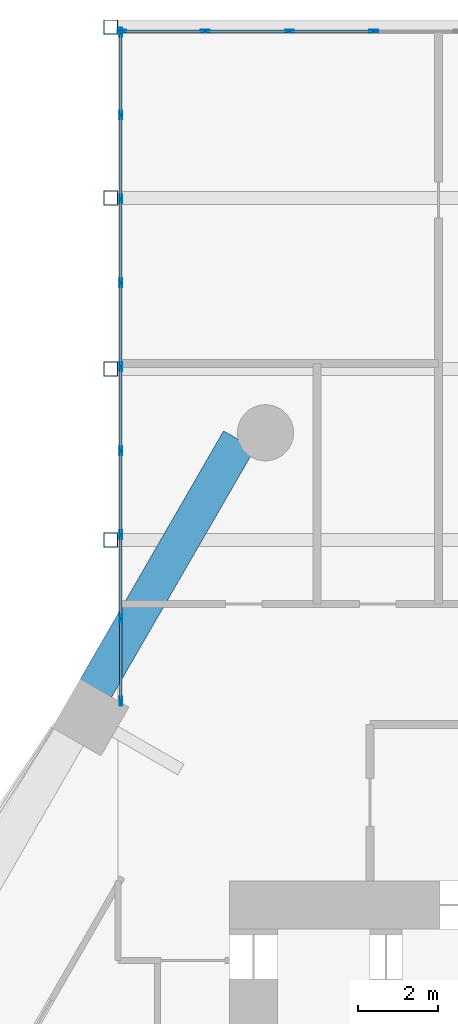
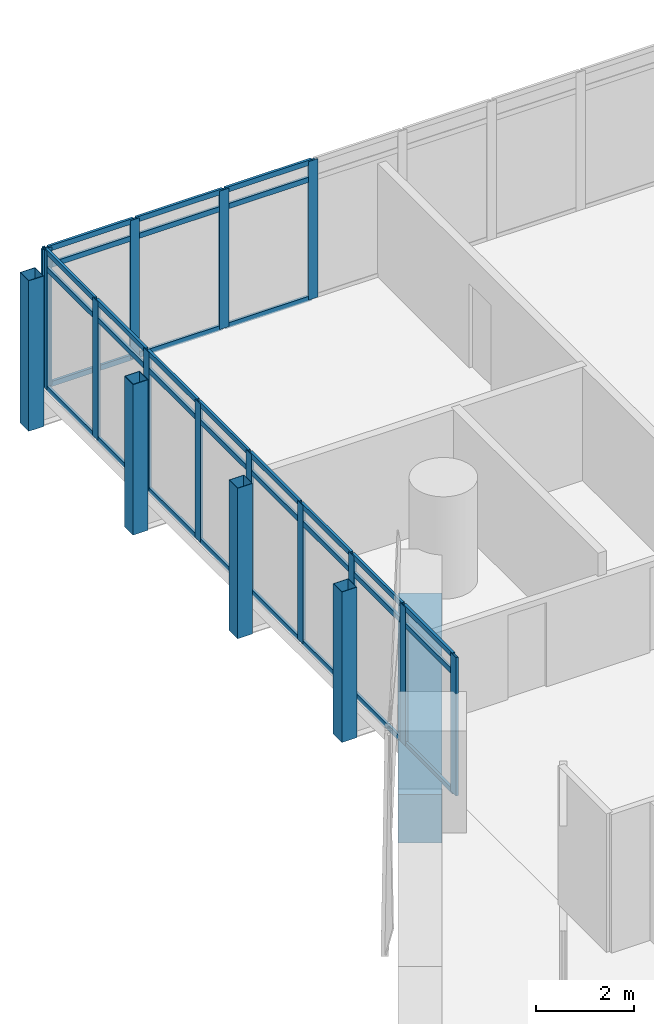
# One storey, part 14 of 35: 50 members, 1 beam, 2 elements without a shape of their own.
"""IFC4 building model written with IfcOpenShell, lengths in metres."""

from ifc_helpers import new_model, si_unit, direction, frame, origin, origin_2d, place, context, subcontext, project, spatial, rectangle, hollow_rectangle, extrude, material, material_profile, profile_set, type_object, element, aggregate, save


model = new_model("IFC4")

# Units and contexts
model_context = context("Model", 3, precision=1e-05, world=origin(), true_north=direction((0.0, 1.0)))
body_context = subcontext(model_context, "Body", "Model", "MODEL_VIEW")
ifc_project = project(units=[si_unit("LENGTHUNIT", "METRE"), si_unit("AREAUNIT", "SQUARE_METRE"), si_unit("VOLUMEUNIT", "CUBIC_METRE"), si_unit("PLANEANGLEUNIT", "RADIAN"), si_unit("MASSUNIT", "GRAM", prefix="KILO")], contexts=[model_context])

# Site, building, storey
site_placement = place(None, origin())
site = spatial("IfcSite", under=ifc_project, at=site_placement, CompositionType="ELEMENT")
building_placement = place(site_placement, origin())
building = spatial("IfcBuilding", under=site, at=building_placement, Name="Ostrander Bayou Hotel Tower", CompositionType="ELEMENT")
storey_placement = place(building_placement, frame((0.0, 0.0, 69.25)))
storey = spatial("IfcBuildingStorey", under=building, at=storey_placement, Name="L17", CompositionType="ELEMENT", Elevation=69.25)

# Curtain wall, members
ifc_material_1 = material(Name="Aluminium and clear glass", Category="aluminium")
curtain_wall_type = type_object("IfcCurtainWallType", Name="CW-BAR glazed wall", PredefinedType="NOTDEFINED", material=ifc_material_1)
curtain_wall_1_placement = place(storey_placement, origin())
curtain_wall_1 = element("IfcCurtainWall", 1, at=curtain_wall_1_placement, inside=storey, type_object=curtain_wall_type, Name="CW-BAR L17:SB1N:E", PredefinedType="NOTDEFINED")
ifc_material_2 = material(Name="Aluminium", Category="aluminium")
ifc_material_profile_1 = material_profile(ifc_material_2, hollow_rectangle(XDim=0.06005859375, YDim=0.219970703125, WallThickness=0.00390625, at=origin_2d()))
ifc_profile_set_1 = profile_set([ifc_material_profile_1], Name="Aluminium")
member_type_1 = type_object("IfcMemberType", Name="CW-BR mullion 60 x 220 mm", PredefinedType="MULLION", material=ifc_profile_set_1)
member_1_placement = place(storey_placement, frame((-14.712158203125, 14.1767578125, 0.0), z_axis=(0.0, 0.0, 1.0), x_axis=(-1.0, 0.0, 0.0)))
member_1 = element("IfcMember", 2, at=member_1_placement, type_object=member_type_1, Name="CW-BAR mullion 1", PredefinedType="MULLION", context=body_context, shape_type="SweptSolid", body=[
    extrude(hollow_rectangle(XDim=0.06005859375, YDim=0.219970703125, WallThickness=0.00390625, at=origin_2d()), origin(), (0.0, 0.0, 1.0), 3.449951171875),
])
member_2_placement = place(storey_placement, frame((-14.712158203125, 16.2392578125, 0.0), z_axis=(0.0, 0.0, 1.0), x_axis=(-1.0, 0.0, 0.0)))
member_2 = element("IfcMember", 3, at=member_2_placement, type_object=member_type_1, Name="CW-BAR mullion 2", PredefinedType="MULLION", context=body_context, shape_type="SweptSolid", body=[
    extrude(hollow_rectangle(XDim=0.06005859375, YDim=0.219970703125, WallThickness=0.00390625, at=origin_2d()), origin(), (0.0, 0.0, 1.0), 3.449951171875),
])
member_3_placement = place(storey_placement, frame((-14.712158203125, 18.33154296875, 0.0), z_axis=(0.0, 0.0, 1.0), x_axis=(-1.0, 0.0, 0.0)))
member_3 = element("IfcMember", 4, at=member_3_placement, type_object=member_type_1, Name="CW-BAR mullion 3", PredefinedType="MULLION", context=body_context, shape_type="SweptSolid", body=[
    extrude(hollow_rectangle(XDim=0.06005859375, YDim=0.219970703125, WallThickness=0.00390625, at=origin_2d()), origin(), (0.0, 0.0, 1.0), 3.449951171875),
])
member_4_placement = place(storey_placement, frame((-14.712158203125, 20.424072265625, 0.0), z_axis=(0.0, 0.0, 1.0), x_axis=(-1.0, 0.0, 0.0)))
member_4 = element("IfcMember", 5, at=member_4_placement, type_object=member_type_1, Name="CW-BAR mullion 4", PredefinedType="MULLION", context=body_context, shape_type="SweptSolid", body=[
    extrude(hollow_rectangle(XDim=0.06005859375, YDim=0.219970703125, WallThickness=0.00390625, at=origin_2d()), origin(), (0.0, 0.0, 1.0), 3.449951171875),
])
member_5_placement = place(storey_placement, frame((-14.712158203125, 22.5166015625, 0.0), z_axis=(0.0, 0.0, 1.0), x_axis=(-1.0, 0.0, 0.0)))
member_5 = element("IfcMember", 6, at=member_5_placement, type_object=member_type_1, Name="CW-BAR mullion 5", PredefinedType="MULLION", context=body_context, shape_type="SweptSolid", body=[
    extrude(hollow_rectangle(XDim=0.06005859375, YDim=0.219970703125, WallThickness=0.00390625, at=origin_2d()), origin(), (0.0, 0.0, 1.0), 3.449951171875),
])
member_6_placement = place(storey_placement, frame((-14.712158203125, 24.60888671875, 0.0), z_axis=(0.0, 0.0, 1.0), x_axis=(-1.0, 0.0, 0.0)))
member_6 = element("IfcMember", 7, at=member_6_placement, type_object=member_type_1, Name="CW-BAR mullion 6", PredefinedType="MULLION", context=body_context, shape_type="SweptSolid", body=[
    extrude(hollow_rectangle(XDim=0.06005859375, YDim=0.219970703125, WallThickness=0.00390625, at=origin_2d()), origin(), (0.0, 0.0, 1.0), 3.449951171875),
])
member_7_placement = place(storey_placement, frame((-14.712158203125, 26.701416015625, 0.0), z_axis=(0.0, 0.0, 1.0), x_axis=(-1.0, 0.0, 0.0)))
member_7 = element("IfcMember", 8, at=member_7_placement, type_object=member_type_1, Name="CW-BAR mullion 7", PredefinedType="MULLION", context=body_context, shape_type="SweptSolid", body=[
    extrude(hollow_rectangle(XDim=0.06005859375, YDim=0.219970703125, WallThickness=0.00390625, at=origin_2d()), origin(), (0.0, 0.0, 1.0), 3.449951171875),
])
member_8_placement = place(storey_placement, frame((-14.712158203125, 28.793701171875, 0.0), z_axis=(0.0, 0.0, 1.0), x_axis=(-1.0, 0.0, 0.0)))
member_8 = element("IfcMember", 9, at=member_8_placement, type_object=member_type_1, Name="CW-BAR mullion 8", PredefinedType="MULLION", context=body_context, shape_type="SweptSolid", body=[
    extrude(hollow_rectangle(XDim=0.06005859375, YDim=0.219970703125, WallThickness=0.00390625, at=origin_2d()), origin(), (0.0, 0.0, 1.0), 3.449951171875),
])
member_9_placement = place(storey_placement, frame((-14.712158203125, 30.856201171875, 0.0), z_axis=(0.0, 0.0, 1.0), x_axis=(-1.0, 0.0, 0.0)))
member_9 = element("IfcMember", 10, at=member_9_placement, type_object=member_type_1, Name="CW-BAR mullion 9", PredefinedType="MULLION", context=body_context, shape_type="SweptSolid", body=[
    extrude(hollow_rectangle(XDim=0.06005859375, YDim=0.219970703125, WallThickness=0.00390625, at=origin_2d()), origin(), (0.0, 0.0, 1.0), 3.449951171875),
])

curtain_wall_2_placement = place(storey_placement, origin())
curtain_wall_2 = element("IfcCurtainWall", 11, at=curtain_wall_2_placement, inside=storey, type_object=curtain_wall_type, Name="CW-BAR L17:SB1N:T", PredefinedType="NOTDEFINED")
member_10_placement = place(storey_placement, frame((-14.68212890625, 30.88623046875, 0.0), z_axis=(0.0, 0.0, 1.0), x_axis=(0.0, 1.0, 0.0)))
member_10 = element("IfcMember", 12, at=member_10_placement, type_object=member_type_1, Name="CW-BAR mullion 1", PredefinedType="MULLION", context=body_context, shape_type="SweptSolid", body=[
    extrude(hollow_rectangle(XDim=0.06005859375, YDim=0.219970703125, WallThickness=0.00390625, at=origin_2d()), origin(), (0.0, 0.0, 1.0), 3.449951171875),
])
member_11_placement = place(storey_placement, frame((-12.6103515625, 30.88623046875, 0.0), z_axis=(0.0, 0.0, 1.0), x_axis=(0.0, 1.0, 0.0)))
member_11 = element("IfcMember", 13, at=member_11_placement, type_object=member_type_1, Name="CW-BAR mullion 2", PredefinedType="MULLION", context=body_context, shape_type="SweptSolid", body=[
    extrude(hollow_rectangle(XDim=0.06005859375, YDim=0.219970703125, WallThickness=0.00390625, at=origin_2d()), origin(), (0.0, 0.0, 1.0), 3.449951171875),
])
member_12_placement = place(storey_placement, frame((-10.5087890625, 30.88623046875, 0.0), z_axis=(0.0, 0.0, 1.0), x_axis=(0.0, 1.0, 0.0)))
member_12 = element("IfcMember", 14, at=member_12_placement, type_object=member_type_1, Name="CW-BAR mullion 3", PredefinedType="MULLION", context=body_context, shape_type="SweptSolid", body=[
    extrude(hollow_rectangle(XDim=0.06005859375, YDim=0.219970703125, WallThickness=0.00390625, at=origin_2d()), origin(), (0.0, 0.0, 1.0), 3.449951171875),
])
member_13_placement = place(storey_placement, frame((-8.406982421875, 30.88623046875, 0.0), z_axis=(0.0, 0.0, 1.0), x_axis=(0.0, 1.0, 0.0)))
member_13 = element("IfcMember", 15, at=member_13_placement, type_object=member_type_1, Name="CW-BAR mullion 4", PredefinedType="MULLION", context=body_context, shape_type="SweptSolid", body=[
    extrude(hollow_rectangle(XDim=0.06005859375, YDim=0.219970703125, WallThickness=0.00390625, at=origin_2d()), origin(), (0.0, 0.0, 1.0), 3.449951171875),
])

# Member
ifc_material_3 = material(Name="Aluminium", Category="aluminium")
ifc_material_profile_2 = material_profile(ifc_material_3, hollow_rectangle(XDim=0.06005859375, YDim=0.1298828125, WallThickness=0.00390625, at=origin_2d()))
ifc_profile_set_2 = profile_set([ifc_material_profile_2], Name="Aluminium")
member_type_2 = type_object("IfcMemberType", Name="CW-BR transom 60 x 130 mm", PredefinedType="USERDEFINED", material=ifc_profile_set_2)
member_14_placement = place(storey_placement, frame((-14.712158203125, 14.206787109375, 0.030029296875), z_axis=(0.0, 1.0, 0.0), x_axis=(-1.0, 0.0, 0.0)))
member_14 = element("IfcMember", 16, at=member_14_placement, type_object=member_type_2, Name="CW-BAR transom 1.1", ObjectType="TRANSOM", PredefinedType="USERDEFINED", context=body_context, shape_type="SweptSolid", body=[
    extrude(hollow_rectangle(XDim=0.06005859375, YDim=0.1298828125, WallThickness=0.00390625, at=origin_2d()), origin(), (0.0, 0.0, 1.0), 2.00244140625),
])

member_15_placement = place(storey_placement, frame((-14.712158203125, 14.206787109375, 3.0), z_axis=(0.0, 1.0, 0.0), x_axis=(-1.0, 0.0, 0.0)))
member_15 = element("IfcMember", 17, at=member_15_placement, type_object=member_type_2, Name="CW-BAR transom 1.2", ObjectType="TRANSOM", PredefinedType="USERDEFINED", context=body_context, shape_type="SweptSolid", body=[
    extrude(hollow_rectangle(XDim=0.06005859375, YDim=0.1298828125, WallThickness=0.00390625, at=origin_2d()), origin(), (0.0, 0.0, 1.0), 2.00244140625),
])

member_16_placement = place(storey_placement, frame((-14.712158203125, 14.206787109375, 3.419921875), z_axis=(0.0, 1.0, 0.0), x_axis=(-1.0, 0.0, 0.0)))
member_16 = element("IfcMember", 18, at=member_16_placement, type_object=member_type_2, Name="CW-BAR transom 1.3", ObjectType="TRANSOM", PredefinedType="USERDEFINED", context=body_context, shape_type="SweptSolid", body=[
    extrude(hollow_rectangle(XDim=0.06005859375, YDim=0.1298828125, WallThickness=0.00390625, at=origin_2d()), origin(), (0.0, 0.0, 1.0), 2.00244140625),
])

member_17_placement = place(storey_placement, frame((-14.712158203125, 16.269287109375, 0.030029296875), z_axis=(0.0, 1.0, 0.0), x_axis=(-1.0, 0.0, 0.0)))
member_17 = element("IfcMember", 19, at=member_17_placement, type_object=member_type_2, Name="CW-BAR transom 2.1", ObjectType="TRANSOM", PredefinedType="USERDEFINED", context=body_context, shape_type="SweptSolid", body=[
    extrude(hollow_rectangle(XDim=0.06005859375, YDim=0.1298828125, WallThickness=0.00390625, at=origin_2d()), origin(), (0.0, 0.0, 1.0), 2.032470703125),
])

member_18_placement = place(storey_placement, frame((-14.712158203125, 16.269287109375, 3.0), z_axis=(0.0, 1.0, 0.0), x_axis=(-1.0, 0.0, 0.0)))
member_18 = element("IfcMember", 20, at=member_18_placement, type_object=member_type_2, Name="CW-BAR transom 2.2", ObjectType="TRANSOM", PredefinedType="USERDEFINED", context=body_context, shape_type="SweptSolid", body=[
    extrude(hollow_rectangle(XDim=0.06005859375, YDim=0.1298828125, WallThickness=0.00390625, at=origin_2d()), origin(), (0.0, 0.0, 1.0), 2.032470703125),
])

member_19_placement = place(storey_placement, frame((-14.712158203125, 16.269287109375, 3.419921875), z_axis=(0.0, 1.0, 0.0), x_axis=(-1.0, 0.0, 0.0)))
member_19 = element("IfcMember", 21, at=member_19_placement, type_object=member_type_2, Name="CW-BAR transom 2.3", ObjectType="TRANSOM", PredefinedType="USERDEFINED", context=body_context, shape_type="SweptSolid", body=[
    extrude(hollow_rectangle(XDim=0.06005859375, YDim=0.1298828125, WallThickness=0.00390625, at=origin_2d()), origin(), (0.0, 0.0, 1.0), 2.032470703125),
])

member_20_placement = place(storey_placement, frame((-14.712158203125, 18.361572265625, 0.030029296875), z_axis=(0.0, 1.0, 0.0), x_axis=(-1.0, 0.0, 0.0)))
member_20 = element("IfcMember", 22, at=member_20_placement, type_object=member_type_2, Name="CW-BAR transom 3.1", ObjectType="TRANSOM", PredefinedType="USERDEFINED", context=body_context, shape_type="SweptSolid", body=[
    extrude(hollow_rectangle(XDim=0.06005859375, YDim=0.1298828125, WallThickness=0.00390625, at=origin_2d()), origin(), (0.0, 0.0, 1.0), 2.032470703125),
])

member_21_placement = place(storey_placement, frame((-14.712158203125, 18.361572265625, 3.0), z_axis=(0.0, 1.0, 0.0), x_axis=(-1.0, 0.0, 0.0)))
member_21 = element("IfcMember", 23, at=member_21_placement, type_object=member_type_2, Name="CW-BAR transom 3.2", ObjectType="TRANSOM", PredefinedType="USERDEFINED", context=body_context, shape_type="SweptSolid", body=[
    extrude(hollow_rectangle(XDim=0.06005859375, YDim=0.1298828125, WallThickness=0.00390625, at=origin_2d()), origin(), (0.0, 0.0, 1.0), 2.032470703125),
])

member_22_placement = place(storey_placement, frame((-14.712158203125, 18.361572265625, 3.419921875), z_axis=(0.0, 1.0, 0.0), x_axis=(-1.0, 0.0, 0.0)))
member_22 = element("IfcMember", 24, at=member_22_placement, type_object=member_type_2, Name="CW-BAR transom 3.3", ObjectType="TRANSOM", PredefinedType="USERDEFINED", context=body_context, shape_type="SweptSolid", body=[
    extrude(hollow_rectangle(XDim=0.06005859375, YDim=0.1298828125, WallThickness=0.00390625, at=origin_2d()), origin(), (0.0, 0.0, 1.0), 2.032470703125),
])

member_23_placement = place(storey_placement, frame((-14.712158203125, 20.4541015625, 0.030029296875), z_axis=(0.0, 1.0, 0.0), x_axis=(-1.0, 0.0, 0.0)))
member_23 = element("IfcMember", 25, at=member_23_placement, type_object=member_type_2, Name="CW-BAR transom 4.1", ObjectType="TRANSOM", PredefinedType="USERDEFINED", context=body_context, shape_type="SweptSolid", body=[
    extrude(hollow_rectangle(XDim=0.06005859375, YDim=0.1298828125, WallThickness=0.00390625, at=origin_2d()), origin(), (0.0, 0.0, 1.0), 2.032470703125),
])

member_24_placement = place(storey_placement, frame((-14.712158203125, 20.4541015625, 3.0), z_axis=(0.0, 1.0, 0.0), x_axis=(-1.0, 0.0, 0.0)))
member_24 = element("IfcMember", 26, at=member_24_placement, type_object=member_type_2, Name="CW-BAR transom 4.2", ObjectType="TRANSOM", PredefinedType="USERDEFINED", context=body_context, shape_type="SweptSolid", body=[
    extrude(hollow_rectangle(XDim=0.06005859375, YDim=0.1298828125, WallThickness=0.00390625, at=origin_2d()), origin(), (0.0, 0.0, 1.0), 2.032470703125),
])

member_25_placement = place(storey_placement, frame((-14.712158203125, 20.4541015625, 3.419921875), z_axis=(0.0, 1.0, 0.0), x_axis=(-1.0, 0.0, 0.0)))
member_25 = element("IfcMember", 27, at=member_25_placement, type_object=member_type_2, Name="CW-BAR transom 4.3", ObjectType="TRANSOM", PredefinedType="USERDEFINED", context=body_context, shape_type="SweptSolid", body=[
    extrude(hollow_rectangle(XDim=0.06005859375, YDim=0.1298828125, WallThickness=0.00390625, at=origin_2d()), origin(), (0.0, 0.0, 1.0), 2.032470703125),
])

member_26_placement = place(storey_placement, frame((-14.712158203125, 22.54638671875, 0.030029296875), z_axis=(0.0, 1.0, 0.0), x_axis=(-1.0, 0.0, 0.0)))
member_26 = element("IfcMember", 28, at=member_26_placement, type_object=member_type_2, Name="CW-BAR transom 5.1", ObjectType="TRANSOM", PredefinedType="USERDEFINED", context=body_context, shape_type="SweptSolid", body=[
    extrude(hollow_rectangle(XDim=0.06005859375, YDim=0.1298828125, WallThickness=0.00390625, at=origin_2d()), origin(), (0.0, 0.0, 1.0), 2.032470703125),
])

member_27_placement = place(storey_placement, frame((-14.712158203125, 22.54638671875, 3.0), z_axis=(0.0, 1.0, 0.0), x_axis=(-1.0, 0.0, 0.0)))
member_27 = element("IfcMember", 29, at=member_27_placement, type_object=member_type_2, Name="CW-BAR transom 5.2", ObjectType="TRANSOM", PredefinedType="USERDEFINED", context=body_context, shape_type="SweptSolid", body=[
    extrude(hollow_rectangle(XDim=0.06005859375, YDim=0.1298828125, WallThickness=0.00390625, at=origin_2d()), origin(), (0.0, 0.0, 1.0), 2.032470703125),
])

member_28_placement = place(storey_placement, frame((-14.712158203125, 22.54638671875, 3.419921875), z_axis=(0.0, 1.0, 0.0), x_axis=(-1.0, 0.0, 0.0)))
member_28 = element("IfcMember", 30, at=member_28_placement, type_object=member_type_2, Name="CW-BAR transom 5.3", ObjectType="TRANSOM", PredefinedType="USERDEFINED", context=body_context, shape_type="SweptSolid", body=[
    extrude(hollow_rectangle(XDim=0.06005859375, YDim=0.1298828125, WallThickness=0.00390625, at=origin_2d()), origin(), (0.0, 0.0, 1.0), 2.032470703125),
])

member_29_placement = place(storey_placement, frame((-14.712158203125, 24.638916015625, 0.030029296875), z_axis=(0.0, 1.0, 0.0), x_axis=(-1.0, 0.0, 0.0)))
member_29 = element("IfcMember", 31, at=member_29_placement, type_object=member_type_2, Name="CW-BAR transom 6.1", ObjectType="TRANSOM", PredefinedType="USERDEFINED", context=body_context, shape_type="SweptSolid", body=[
    extrude(hollow_rectangle(XDim=0.06005859375, YDim=0.1298828125, WallThickness=0.00390625, at=origin_2d()), origin(), (0.0, 0.0, 1.0), 2.032470703125),
])

member_30_placement = place(storey_placement, frame((-14.712158203125, 24.638916015625, 3.0), z_axis=(0.0, 1.0, 0.0), x_axis=(-1.0, 0.0, 0.0)))
member_30 = element("IfcMember", 32, at=member_30_placement, type_object=member_type_2, Name="CW-BAR transom 6.2", ObjectType="TRANSOM", PredefinedType="USERDEFINED", context=body_context, shape_type="SweptSolid", body=[
    extrude(hollow_rectangle(XDim=0.06005859375, YDim=0.1298828125, WallThickness=0.00390625, at=origin_2d()), origin(), (0.0, 0.0, 1.0), 2.032470703125),
])

member_31_placement = place(storey_placement, frame((-14.712158203125, 24.638916015625, 3.419921875), z_axis=(0.0, 1.0, 0.0), x_axis=(-1.0, 0.0, 0.0)))
member_31 = element("IfcMember", 33, at=member_31_placement, type_object=member_type_2, Name="CW-BAR transom 6.3", ObjectType="TRANSOM", PredefinedType="USERDEFINED", context=body_context, shape_type="SweptSolid", body=[
    extrude(hollow_rectangle(XDim=0.06005859375, YDim=0.1298828125, WallThickness=0.00390625, at=origin_2d()), origin(), (0.0, 0.0, 1.0), 2.032470703125),
])

member_32_placement = place(storey_placement, frame((-14.712158203125, 26.7314453125, 0.030029296875), z_axis=(0.0, 1.0, 0.0), x_axis=(-1.0, 0.0, 0.0)))
member_32 = element("IfcMember", 34, at=member_32_placement, type_object=member_type_2, Name="CW-BAR transom 7.1", ObjectType="TRANSOM", PredefinedType="USERDEFINED", context=body_context, shape_type="SweptSolid", body=[
    extrude(hollow_rectangle(XDim=0.06005859375, YDim=0.1298828125, WallThickness=0.00390625, at=origin_2d()), origin(), (0.0, 0.0, 1.0), 2.0322265625),
])

member_33_placement = place(storey_placement, frame((-14.712158203125, 26.7314453125, 3.0), z_axis=(0.0, 1.0, 0.0), x_axis=(-1.0, 0.0, 0.0)))
member_33 = element("IfcMember", 35, at=member_33_placement, type_object=member_type_2, Name="CW-BAR transom 7.2", ObjectType="TRANSOM", PredefinedType="USERDEFINED", context=body_context, shape_type="SweptSolid", body=[
    extrude(hollow_rectangle(XDim=0.06005859375, YDim=0.1298828125, WallThickness=0.00390625, at=origin_2d()), origin(), (0.0, 0.0, 1.0), 2.0322265625),
])

member_34_placement = place(storey_placement, frame((-14.712158203125, 26.7314453125, 3.419921875), z_axis=(0.0, 1.0, 0.0), x_axis=(-1.0, 0.0, 0.0)))
member_34 = element("IfcMember", 36, at=member_34_placement, type_object=member_type_2, Name="CW-BAR transom 7.3", ObjectType="TRANSOM", PredefinedType="USERDEFINED", context=body_context, shape_type="SweptSolid", body=[
    extrude(hollow_rectangle(XDim=0.06005859375, YDim=0.1298828125, WallThickness=0.00390625, at=origin_2d()), origin(), (0.0, 0.0, 1.0), 2.0322265625),
])

member_35_placement = place(storey_placement, frame((-14.712158203125, 28.82373046875, 0.030029296875), z_axis=(0.0, 1.0, 0.0), x_axis=(-1.0, 0.0, 0.0)))
member_35 = element("IfcMember", 37, at=member_35_placement, type_object=member_type_2, Name="CW-BAR transom 8.1", ObjectType="TRANSOM", PredefinedType="USERDEFINED", context=body_context, shape_type="SweptSolid", body=[
    extrude(hollow_rectangle(XDim=0.06005859375, YDim=0.1298828125, WallThickness=0.00390625, at=origin_2d()), origin(), (0.0, 0.0, 1.0), 2.00244140625),
])

member_36_placement = place(storey_placement, frame((-14.712158203125, 28.82373046875, 3.0), z_axis=(0.0, 1.0, 0.0), x_axis=(-1.0, 0.0, 0.0)))
member_36 = element("IfcMember", 38, at=member_36_placement, type_object=member_type_2, Name="CW-BAR transom 8.2", ObjectType="TRANSOM", PredefinedType="USERDEFINED", context=body_context, shape_type="SweptSolid", body=[
    extrude(hollow_rectangle(XDim=0.06005859375, YDim=0.1298828125, WallThickness=0.00390625, at=origin_2d()), origin(), (0.0, 0.0, 1.0), 2.00244140625),
])

member_37_placement = place(storey_placement, frame((-14.712158203125, 28.82373046875, 3.419921875), z_axis=(0.0, 1.0, 0.0), x_axis=(-1.0, 0.0, 0.0)))
member_37 = element("IfcMember", 39, at=member_37_placement, type_object=member_type_2, Name="CW-BAR transom 8.3", ObjectType="TRANSOM", PredefinedType="USERDEFINED", context=body_context, shape_type="SweptSolid", body=[
    extrude(hollow_rectangle(XDim=0.06005859375, YDim=0.1298828125, WallThickness=0.00390625, at=origin_2d()), origin(), (0.0, 0.0, 1.0), 2.00244140625),
])

aggregate(curtain_wall_1, [member_1, member_2, member_3, member_4, member_5, member_6, member_7, member_8, member_9, member_14, member_15, member_16, member_17, member_18, member_19, member_20, member_21, member_22, member_23, member_24, member_25, member_26, member_27, member_28, member_29, member_30, member_31, member_32, member_33, member_34, member_35, member_36, member_37])

member_38_placement = place(storey_placement, frame((-14.652099609375, 30.88623046875, 0.030029296875), z_axis=(1.0, 0.0, 0.0), x_axis=(0.0, 1.0, 0.0)))
member_38 = element("IfcMember", 40, at=member_38_placement, type_object=member_type_2, Name="CW-BAR transom 1.1", ObjectType="TRANSOM", PredefinedType="USERDEFINED", context=body_context, shape_type="SweptSolid", body=[
    extrude(hollow_rectangle(XDim=0.06005859375, YDim=0.1298828125, WallThickness=0.00390625, at=origin_2d()), origin(), (0.0, 0.0, 1.0), 2.01171875),
])

member_39_placement = place(storey_placement, frame((-14.652099609375, 30.88623046875, 3.0), z_axis=(1.0, 0.0, 0.0), x_axis=(0.0, 1.0, 0.0)))
member_39 = element("IfcMember", 41, at=member_39_placement, type_object=member_type_2, Name="CW-BAR transom 1.2", ObjectType="TRANSOM", PredefinedType="USERDEFINED", context=body_context, shape_type="SweptSolid", body=[
    extrude(hollow_rectangle(XDim=0.06005859375, YDim=0.1298828125, WallThickness=0.00390625, at=origin_2d()), origin(), (0.0, 0.0, 1.0), 2.01171875),
])

member_40_placement = place(storey_placement, frame((-14.652099609375, 30.88623046875, 3.419921875), z_axis=(1.0, 0.0, 0.0), x_axis=(0.0, 1.0, 0.0)))
member_40 = element("IfcMember", 42, at=member_40_placement, type_object=member_type_2, Name="CW-BAR transom 1.3", ObjectType="TRANSOM", PredefinedType="USERDEFINED", context=body_context, shape_type="SweptSolid", body=[
    extrude(hollow_rectangle(XDim=0.06005859375, YDim=0.1298828125, WallThickness=0.00390625, at=origin_2d()), origin(), (0.0, 0.0, 1.0), 2.01171875),
])

member_41_placement = place(storey_placement, frame((-12.58056640625, 30.88623046875, 0.030029296875), z_axis=(1.0, 0.0, 0.0), x_axis=(0.0, 1.0, 0.0)))
member_41 = element("IfcMember", 43, at=member_41_placement, type_object=member_type_2, Name="CW-BAR transom 2.1", ObjectType="TRANSOM", PredefinedType="USERDEFINED", context=body_context, shape_type="SweptSolid", body=[
    extrude(hollow_rectangle(XDim=0.06005859375, YDim=0.1298828125, WallThickness=0.00390625, at=origin_2d()), origin(), (0.0, 0.0, 1.0), 2.041748046875),
])

member_42_placement = place(storey_placement, frame((-12.58056640625, 30.88623046875, 3.0), z_axis=(1.0, 0.0, 0.0), x_axis=(0.0, 1.0, 0.0)))
member_42 = element("IfcMember", 44, at=member_42_placement, type_object=member_type_2, Name="CW-BAR transom 2.2", ObjectType="TRANSOM", PredefinedType="USERDEFINED", context=body_context, shape_type="SweptSolid", body=[
    extrude(hollow_rectangle(XDim=0.06005859375, YDim=0.1298828125, WallThickness=0.00390625, at=origin_2d()), origin(), (0.0, 0.0, 1.0), 2.041748046875),
])

member_43_placement = place(storey_placement, frame((-12.58056640625, 30.88623046875, 3.419921875), z_axis=(1.0, 0.0, 0.0), x_axis=(0.0, 1.0, 0.0)))
member_43 = element("IfcMember", 45, at=member_43_placement, type_object=member_type_2, Name="CW-BAR transom 2.3", ObjectType="TRANSOM", PredefinedType="USERDEFINED", context=body_context, shape_type="SweptSolid", body=[
    extrude(hollow_rectangle(XDim=0.06005859375, YDim=0.1298828125, WallThickness=0.00390625, at=origin_2d()), origin(), (0.0, 0.0, 1.0), 2.041748046875),
])

member_44_placement = place(storey_placement, frame((-10.478759765625, 30.88623046875, 0.030029296875), z_axis=(1.0, 0.0, 0.0), x_axis=(0.0, 1.0, 0.0)))
member_44 = element("IfcMember", 46, at=member_44_placement, type_object=member_type_2, Name="CW-BAR transom 3.1", ObjectType="TRANSOM", PredefinedType="USERDEFINED", context=body_context, shape_type="SweptSolid", body=[
    extrude(hollow_rectangle(XDim=0.06005859375, YDim=0.1298828125, WallThickness=0.00390625, at=origin_2d()), origin(), (0.0, 0.0, 1.0), 2.041748046875),
])

member_45_placement = place(storey_placement, frame((-10.478759765625, 30.88623046875, 3.0), z_axis=(1.0, 0.0, 0.0), x_axis=(0.0, 1.0, 0.0)))
member_45 = element("IfcMember", 47, at=member_45_placement, type_object=member_type_2, Name="CW-BAR transom 3.2", ObjectType="TRANSOM", PredefinedType="USERDEFINED", context=body_context, shape_type="SweptSolid", body=[
    extrude(hollow_rectangle(XDim=0.06005859375, YDim=0.1298828125, WallThickness=0.00390625, at=origin_2d()), origin(), (0.0, 0.0, 1.0), 2.041748046875),
])

member_46_placement = place(storey_placement, frame((-10.478759765625, 30.88623046875, 3.419921875), z_axis=(1.0, 0.0, 0.0), x_axis=(0.0, 1.0, 0.0)))
member_46 = element("IfcMember", 48, at=member_46_placement, type_object=member_type_2, Name="CW-BAR transom 3.3", ObjectType="TRANSOM", PredefinedType="USERDEFINED", context=body_context, shape_type="SweptSolid", body=[
    extrude(hollow_rectangle(XDim=0.06005859375, YDim=0.1298828125, WallThickness=0.00390625, at=origin_2d()), origin(), (0.0, 0.0, 1.0), 2.041748046875),
])

aggregate(curtain_wall_2, [member_10, member_11, member_12, member_13, member_38, member_39, member_40, member_41, member_42, member_43, member_44, member_45, member_46])

# Beam
ifc_material_4 = material(Name="Concrete f'c 70 MPa", Category="concrete")
ifc_material_profile_3 = material_profile(ifc_material_4, rectangle(XDim=0.89990234375, YDim=1.199951171875, at=origin_2d()))
ifc_profile_set_3 = profile_set([ifc_material_profile_3], Name="Concrete f'c 70 MPa")
beam_type = type_object("IfcBeamType", Name="SP1 spandrel beam 900 x 1200 mm f'c 70 MPa", PredefinedType="SPANDREL", material=ifc_profile_set_3)
beam_placement = place(storey_placement, frame((-11.76025390625, 20.694091796875, -0.60009765625), z_axis=(-0.500014005679, -0.866017317451, 0.0), x_axis=(0.866017317451, -0.500014005679, 0.0)))
element("IfcBeam", 49, at=beam_placement, inside=storey, type_object=beam_type, Name="SP1 L17 NW-1", PredefinedType="SPANDREL", context=body_context, shape_type="SweptSolid", body=[
    extrude(rectangle(XDim=0.89990234375, YDim=1.199951171875, at=origin_2d()), origin(), (0.0, 0.0, 1.0), 7.176025390625),
])

# Members
ifc_material_5 = material(Name="Steel ASTM A500 Gr C", Category="steel")
ifc_material_profile_4 = material_profile(ifc_material_5, hollow_rectangle(XDim=0.355712890625, YDim=0.355712890625, WallThickness=0.01171875, at=origin_2d()))
ifc_profile_set_4 = profile_set([ifc_material_profile_4], Name="Steel ASTM A500 Gr C")
member_type_3 = type_object("IfcMemberType", Name="TH2 bar hanger HSS14x14x1/2", PredefinedType="POST", material=ifc_profile_set_4)
for number, where, z_axis, x_axis, name in (
    (50, (-14.965087890625, 30.986083984375, -0.921875), (0.0, 0.0, 1.0), (1.0, 0.0, 0.0), "TH2 SB1WA H1-2"),
    (51, (-14.965087890625, 26.723876953125, -0.921875), (0.0, 0.0, 1.0), (1.0, 0.0, 0.0), "TH2 SB1WA H2-2"),
    (52, (-14.965087890625, 22.46142578125, -0.921875), (0.0, 0.0, 1.0), (1.0, 0.0, 0.0), "TH2 SB1WA H3-2"),
    (53, (-14.965087890625, 18.198974609375, -0.921875), (0.0, 0.0, 1.0), (1.0, 0.0, 0.0), "TH2 SB1WA H4-2"),
):
    element("IfcMember", number, at=place(storey_placement, frame(where, z_axis=z_axis, x_axis=x_axis)), inside=storey, type_object=member_type_3, Name=name, PredefinedType="POST", context=body_context, shape_type="SweptSolid", body=[
        extrude(hollow_rectangle(XDim=0.355712890625, YDim=0.355712890625, WallThickness=0.01171875, at=origin_2d()), origin(), (0.0, 0.0, 1.0), 3.75),
    ])

save(model, "model.ifc")
